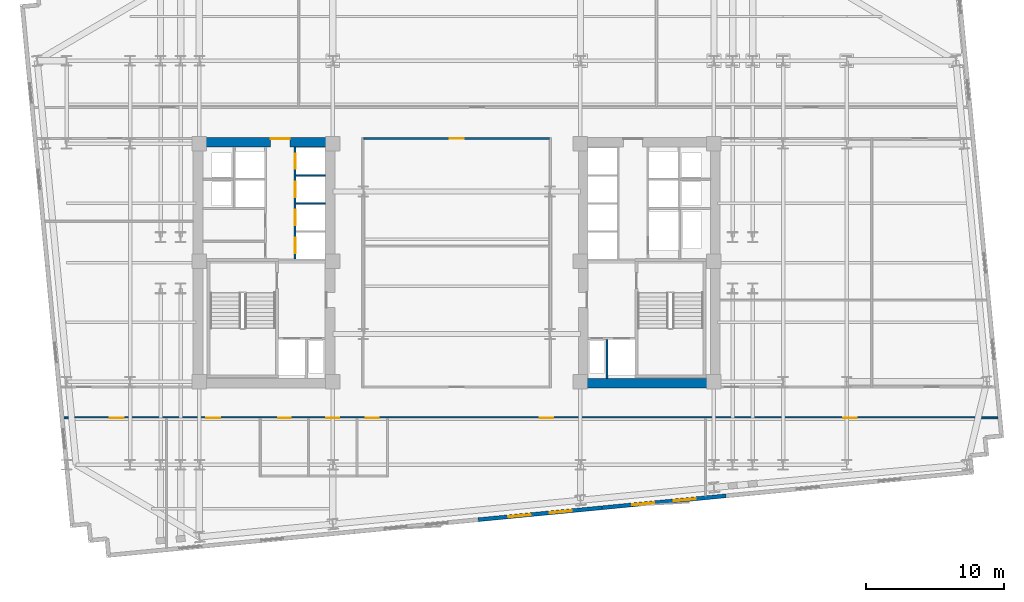
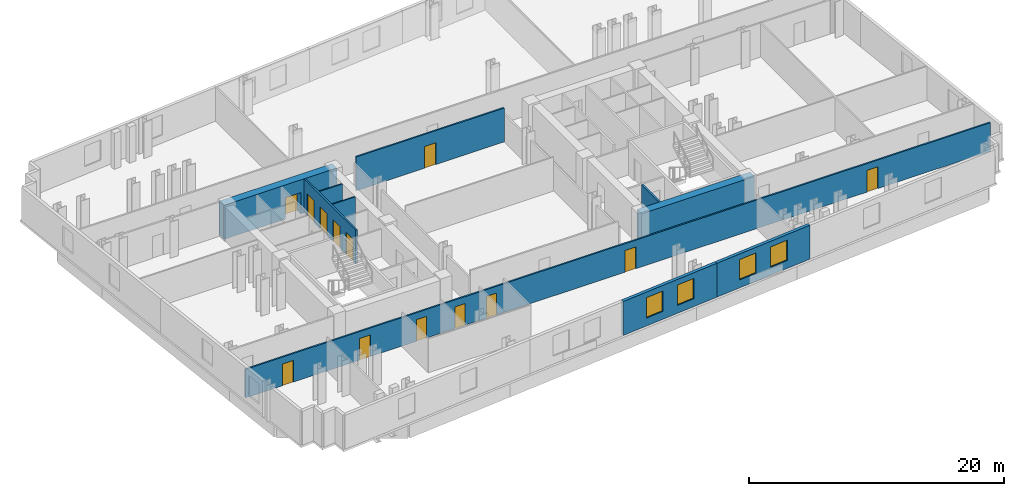
# One storey, part 5 of 10: 13 doors, 10 walls, 4 windows, 17 openings.
"""IFC4 building model written with IfcOpenShell, lengths in metres."""

from ifc_helpers import new_model, si_unit, direction, frame, frame_2d, origin, place, context, subcontext, project, spatial, rectangle, extrude, material, layer, layer_set, type_object, element, fill, save


model = new_model("IFC4")

# Units and contexts
model_context = context("Model", 3, precision=1e-05, world=origin(), true_north=direction((0.0, 1.0)))
body_context = subcontext(model_context, "Body", "Model", "MODEL_VIEW")
ifc_project = project(units=[si_unit("LENGTHUNIT", "METRE"), si_unit("AREAUNIT", "SQUARE_METRE"), si_unit("VOLUMEUNIT", "CUBIC_METRE"), si_unit("PLANEANGLEUNIT", "RADIAN"), si_unit("MASSUNIT", "GRAM", prefix="KILO")], contexts=[model_context])

# Site, building, storey
site_placement = place(None, origin())
site = spatial("IfcSite", under=ifc_project, at=site_placement, CompositionType="ELEMENT")
building_placement = place(site_placement, origin())
building = spatial("IfcBuilding", under=site, at=building_placement, Name="Velakula Bourse", CompositionType="ELEMENT")
storey_placement = place(building_placement, frame((0.0, 0.0, 74.199951171875)))
storey = spatial("IfcBuildingStorey", under=building, at=storey_placement, Name="L19", CompositionType="ELEMENT", Elevation=74.199951171875)

# Wall, opening, door
ifc_material_1 = material(Name="Concrete M70 (fck 70 MPa)", Category="concrete")
ifc_layer_1 = layer(ifc_material_1, 0.699951171875, Name="Concrete M70 (fck 70 MPa)", Category="concrete")
ifc_layer_set_1 = layer_set([ifc_layer_1], Name="Concrete M70 (fck 70 MPa)")
wall_type_1 = type_object("IfcWallType", Name="WL-CORE-700", PredefinedType="SHEAR", material=ifc_layer_set_1)
wall_1_placement = place(storey_placement, frame((-19.050048828125, 8.699951171875, 0.0), z_axis=(0.0, 0.0, 1.0), x_axis=(1.0, 0.0, 0.0)))
wall_1 = element("IfcWall", 1, at=wall_1_placement, inside=storey, type_object=wall_type_1, Name="L19 Core W Shear Wall N", PredefinedType="SHEAR", context=body_context, shape_type="SweptSolid", body=[
    extrude(rectangle(XDim=10.25, YDim=0.699951171875, at=frame_2d((5.125, 0.0))), origin(), (0.0, 0.0, 1.0), 3.27001953125),
])
opening_1_placement = place(wall_1_placement, frame((5.60009765625, 0.0, 0.0)))
opening_1 = element("IfcOpeningElement", 2, at=opening_1_placement, cuts=wall_1, Name="Opening D-LLW", PredefinedType="OPENING", context=body_context, shape_type="SweptSolid", body=[
    extrude(rectangle(XDim=1.39990234375, YDim=2.050048828125, at=frame_2d((0.699951171875, 1.02490234375))), frame((0.0, 0.35986328125, 0.0), z_axis=(0.0, -1.0, 0.0), x_axis=(1.0, 0.0, 0.0)), (0.0, 0.0, 1.0), 0.719970703125),
])
ifc_material_2 = material(Name="Fire-rated hardwood flush architectural door", Category="wood")
door_type_1 = type_object("IfcDoorType", Name="DR-DBL-FD60-1400", OperationType="DOUBLE_DOOR_SINGLE_SWING", PredefinedType="DOOR", material=ifc_material_2)
door_1_placement = place(opening_1_placement, origin())
door_1 = element("IfcDoor", 3, at=door_1_placement, inside=storey, type_object=door_type_1, Name="L19 Core W Lift Lobby Corridor Double Door", OperationType="DOUBLE_DOOR_SINGLE_SWING", OverallHeight=2.050048828125, OverallWidth=1.39990234375, PredefinedType="DOOR", context=body_context, shape_type="SweptSolid", body=[
    extrude(rectangle(XDim=1.39990234375, YDim=2.050048828125, at=frame_2d((0.699951171875, 1.02490234375))), frame((0.0, 0.294921875, 0.0), z_axis=(0.0, -1.0, 0.0), x_axis=(1.0, 0.0, 0.0)), (0.0, 0.0, 1.0), 0.050048828125),
])
fill(opening_1, door_1)

# Wall
wall_2_placement = place(storey_placement, frame((8.800048828125, -8.699951171875, 0.0), z_axis=(0.0, 0.0, 1.0), x_axis=(1.0, 0.0, 0.0)))
element("IfcWall", 4, at=wall_2_placement, inside=storey, type_object=wall_type_1, Name="L19 Core E Shear Wall S", PredefinedType="SHEAR", context=body_context, shape_type="SweptSolid", body=[
    extrude(rectangle(XDim=10.25, YDim=0.699951171875, at=frame_2d((5.125, 0.0))), origin(), (0.0, 0.0, 1.0), 3.27001953125),
])

# Wall, openings, windows
ifc_material_3 = material(Name="Red kilned clay facing brick masonry", Category="masonry")
ifc_layer_2 = layer(ifc_material_3, 0.280029296875, Name="Red kilned clay facing brick masonry", Category="masonry")
ifc_layer_set_2 = layer_set([ifc_layer_2], Name="Red kilned clay facing brick masonry")
wall_type_2 = type_object("IfcWallType", Name="WL-EXT-BRK-280", PredefinedType="STANDARD", material=ifc_layer_set_2)
wall_3_placement = place(storey_placement, frame((10.51513671875, -17.7109375, 0.0), z_axis=(0.0, 0.0, 1.0), x_axis=(-0.995397043619, -0.095836973841, 0.0)))
wall_3 = element("IfcWall", 5, at=wall_3_placement, inside=storey, type_object=wall_type_2, Name="L19 S Brick Spandrel Wall B3", PredefinedType="STANDARD", context=body_context, shape_type="SweptSolid", body=[
    extrude(rectangle(XDim=9.000244140625, YDim=0.280029296875, at=frame_2d((4.5, 0.0))), origin(), (0.0, 0.0, 1.0), 3.25),
])
opening_2_placement = place(wall_3_placement, frame((2.199951171875, 0.0, 0.760009765625)))
opening_2 = element("IfcOpeningElement", 6, at=opening_2_placement, cuts=wall_3, Name="Opening W-02", PredefinedType="OPENING", context=body_context, shape_type="SweptSolid", body=[
    extrude(rectangle(XDim=1.60009765625, YDim=1.949951171875, at=frame_2d((0.800048828125, 0.97509765625))), frame((0.0, 0.14990234375, 0.0), z_axis=(0.0, -1.0, 0.0), x_axis=(1.0, 0.0, 0.0)), (0.0, 0.0, 1.0), 0.300048828125),
])
opening_3_placement = place(wall_3_placement, frame((5.199951171875, 0.0, 0.760009765625)))
opening_3 = element("IfcOpeningElement", 7, at=opening_3_placement, cuts=wall_3, Name="Opening W-02", PredefinedType="OPENING", context=body_context, shape_type="SweptSolid", body=[
    extrude(rectangle(XDim=1.60009765625, YDim=1.949951171875, at=frame_2d((0.800048828125, 0.97509765625))), frame((0.0, 0.14990234375, 0.0), z_axis=(0.0, -1.0, 0.0), x_axis=(1.0, 0.0, 0.0)), (0.0, 0.0, 1.0), 0.300048828125),
])
ifc_material_4 = material(Name="Double-glazed solar-control Low-E glass", Category="glass")
window_type = type_object("IfcWindowType", Name="WIN-TWR-1600x2100", PartitioningType="SINGLE_PANEL", PredefinedType="WINDOW", material=ifc_material_4)
window_1_placement = place(opening_2_placement, origin())
window_1 = element("IfcWindow", 8, at=window_1_placement, inside=storey, type_object=window_type, Name="L19 Deep-Set Recessed Window 1", OverallHeight=1.949951171875, OverallWidth=1.60009765625, PartitioningType="SINGLE_PANEL", PredefinedType="WINDOW", context=body_context, shape_type="SweptSolid", body=[
    extrude(rectangle(XDim=1.60009765625, YDim=1.949951171875, at=frame_2d((0.800048828125, 0.97509765625))), frame((0.0, 0.030029296875, 0.0), z_axis=(0.0, -1.0, 0.0), x_axis=(1.0, 0.0, 0.0)), (0.0, 0.0, 1.0), 0.06005859375),
])
fill(opening_2, window_1)
window_2_placement = place(opening_3_placement, origin())
window_2 = element("IfcWindow", 9, at=window_2_placement, inside=storey, type_object=window_type, Name="L19 Deep-Set Recessed Window 2", OverallHeight=1.949951171875, OverallWidth=1.60009765625, PartitioningType="SINGLE_PANEL", PredefinedType="WINDOW", context=body_context, shape_type="SweptSolid", body=[
    extrude(rectangle(XDim=1.60009765625, YDim=1.949951171875, at=frame_2d((0.800048828125, 0.97509765625))), frame((0.0, 0.030029296875, 0.0), z_axis=(0.0, -1.0, 0.0), x_axis=(1.0, 0.0, 0.0)), (0.0, 0.0, 1.0), 0.06005859375),
])
fill(opening_3, window_2)

wall_4_placement = place(storey_placement, frame((19.4736328125, -16.848388671875, 0.0), z_axis=(0.0, 0.0, 1.0), x_axis=(-0.995396794462, -0.09583956164, 0.0)))
wall_4 = element("IfcWall", 10, at=wall_4_placement, inside=storey, type_object=wall_type_2, Name="L19 S Brick Spandrel Wall B4", PredefinedType="STANDARD", context=body_context, shape_type="SweptSolid", body=[
    extrude(rectangle(XDim=9.0, YDim=0.280029296875, at=frame_2d((4.5, 0.0))), origin(), (0.0, 0.0, 1.0), 3.25),
])
opening_4_placement = place(wall_4_placement, frame((2.199951171875, 0.0, 0.760009765625)))
opening_4 = element("IfcOpeningElement", 11, at=opening_4_placement, cuts=wall_4, Name="Opening W-02", PredefinedType="OPENING", context=body_context, shape_type="SweptSolid", body=[
    extrude(rectangle(XDim=1.60009765625, YDim=1.949951171875, at=frame_2d((0.800048828125, 0.97509765625))), frame((0.0, 0.14990234375, 0.0), z_axis=(0.0, -1.0, 0.0), x_axis=(1.0, 0.0, 0.0)), (0.0, 0.0, 1.0), 0.300048828125),
])
opening_5_placement = place(wall_4_placement, frame((5.199951171875, 0.0, 0.760009765625)))
opening_5 = element("IfcOpeningElement", 12, at=opening_5_placement, cuts=wall_4, Name="Opening W-02", PredefinedType="OPENING", context=body_context, shape_type="SweptSolid", body=[
    extrude(rectangle(XDim=1.60009765625, YDim=1.949951171875, at=frame_2d((0.800048828125, 0.97509765625))), frame((0.0, 0.14990234375, 0.0), z_axis=(0.0, -1.0, 0.0), x_axis=(1.0, 0.0, 0.0)), (0.0, 0.0, 1.0), 0.300048828125),
])
window_3_placement = place(opening_4_placement, origin())
window_3 = element("IfcWindow", 13, at=window_3_placement, inside=storey, type_object=window_type, Name="L19 Deep-Set Recessed Window 1", OverallHeight=1.949951171875, OverallWidth=1.60009765625, PartitioningType="SINGLE_PANEL", PredefinedType="WINDOW", context=body_context, shape_type="SweptSolid", body=[
    extrude(rectangle(XDim=1.60009765625, YDim=1.949951171875, at=frame_2d((0.800048828125, 0.97509765625))), frame((0.0, 0.030029296875, 0.0), z_axis=(0.0, -1.0, 0.0), x_axis=(1.0, 0.0, 0.0)), (0.0, 0.0, 1.0), 0.06005859375),
])
fill(opening_4, window_3)
window_4_placement = place(opening_5_placement, origin())
window_4 = element("IfcWindow", 14, at=window_4_placement, inside=storey, type_object=window_type, Name="L19 Deep-Set Recessed Window 2", OverallHeight=1.949951171875, OverallWidth=1.60009765625, PartitioningType="SINGLE_PANEL", PredefinedType="WINDOW", context=body_context, shape_type="SweptSolid", body=[
    extrude(rectangle(XDim=1.60009765625, YDim=1.949951171875, at=frame_2d((0.800048828125, 0.97509765625))), frame((0.0, 0.030029296875, 0.0), z_axis=(0.0, -1.0, 0.0), x_axis=(1.0, 0.0, 0.0)), (0.0, 0.0, 1.0), 0.06005859375),
])
fill(opening_5, window_4)

# Walls
ifc_material_5 = material(Name="Fire-rated double-layer gypsum drywall partition", Category="gypsum")
ifc_layer_3 = layer(ifc_material_5, 0.1201171875, Name="Fire-rated double-layer gypsum drywall partition", Category="gypsum")
ifc_layer_set_3 = layer_set([ifc_layer_3], Name="Fire-rated double-layer gypsum drywall partition")
wall_type_3 = type_object("IfcWallType", Name="WL-PART-120", PredefinedType="STANDARD", material=ifc_layer_set_3)
for number, where, z_axis, x_axis, name in (
    (15, (-11.60009765625, 4.284912109375, 0.0), (0.0, 0.0, 1.0), (1.0, 0.0, 0.0), "L19 Interior Partition WL-CRW-L19-BDIV-1"),
    (16, (-11.60009765625, 6.31494140625, 0.0), (0.0, 0.0, 1.0), (1.0, 0.0, 0.0), "L19 Interior Partition WL-CRW-L19-BDIV-2"),
):
    element("IfcWall", number, at=place(storey_placement, frame(where, z_axis=z_axis, x_axis=x_axis)), inside=storey, type_object=wall_type_3, Name=name, PredefinedType="STANDARD", context=body_context, shape_type="SweptSolid", body=[
        extrude(rectangle(XDim=2.10009765625, YDim=0.110107421875, at=frame_2d((1.050048828125, 0.0))), origin(), (0.0, 0.0, 1.0), 3.25),
    ])

# Wall, openings, doors
ifc_layer_4 = layer(ifc_material_5, 0.139892578125, Name="Fire-rated double-layer gypsum drywall partition", Category="gypsum")
ifc_layer_set_4 = layer_set([ifc_layer_4], Name="Fire-rated double-layer gypsum drywall partition")
wall_type_4 = type_object("IfcWallType", Name="WL-PART-140", PredefinedType="STANDARD", material=ifc_layer_set_4)
wall_5_placement = place(storey_placement, frame((-28.40625, -11.219970703125, 0.0), z_axis=(0.0, 0.0, 1.0), x_axis=(1.0, 0.0, 0.0)))
wall_5 = element("IfcWall", 17, at=wall_5_placement, inside=storey, type_object=wall_type_4, Name="L19 Interior Partition WL-INT-L19-S-CORR", PredefinedType="STANDARD", context=body_context, shape_type="SweptSolid", body=[
    extrude(rectangle(XDim=67.551025390625, YDim=0.139892578125, at=frame_2d((33.775390625, 0.0))), origin(), (0.0, 0.0, 1.0), 2.7451171875),
])
opening_6_placement = place(wall_5_placement, frame((15.496337890625, 0.0, 0.0)))
opening_6 = element("IfcOpeningElement", 18, at=opening_6_placement, cuts=wall_5, Name="Opening D-WT1", PredefinedType="OPENING", context=body_context, shape_type="SweptSolid", body=[
    extrude(rectangle(XDim=0.919921875, YDim=2.080078125, at=frame_2d((0.4599609375, 1.0400390625))), frame((0.0, 0.079833984375, 0.0), z_axis=(0.0, -1.0, 0.0), x_axis=(1.0, 0.0, 0.0)), (0.0, 0.0, 1.0), 0.159912109375),
])
opening_7_placement = place(wall_5_placement, frame((18.996337890625, 0.0, 0.0)))
opening_7 = element("IfcOpeningElement", 19, at=opening_7_placement, cuts=wall_5, Name="Opening D-WT1", PredefinedType="OPENING", context=body_context, shape_type="SweptSolid", body=[
    extrude(rectangle(XDim=0.919921875, YDim=2.080078125, at=frame_2d((0.4599609375, 1.0400390625))), frame((0.0, 0.079833984375, 0.0), z_axis=(0.0, -1.0, 0.0), x_axis=(1.0, 0.0, 0.0)), (0.0, 0.0, 1.0), 0.159912109375),
])
opening_8_placement = place(wall_5_placement, frame((21.84619140625, 0.0, 0.0)))
opening_8 = element("IfcOpeningElement", 20, at=opening_8_placement, cuts=wall_5, Name="Opening D-WC1", PredefinedType="OPENING", context=body_context, shape_type="SweptSolid", body=[
    extrude(rectangle(XDim=0.919921875, YDim=2.080078125, at=frame_2d((0.4599609375, 1.0400390625))), frame((0.0, 0.079833984375, 0.0), z_axis=(0.0, -1.0, 0.0), x_axis=(1.0, 0.0, 0.0)), (0.0, 0.0, 1.0), 0.159912109375),
])
opening_9_placement = place(wall_5_placement, frame((3.335693359375, 0.0, 0.0)))
opening_9 = element("IfcOpeningElement", 21, at=opening_9_placement, cuts=wall_5, Name="Opening D-OF1", PredefinedType="OPENING", context=body_context, shape_type="SweptSolid", body=[
    extrude(rectangle(XDim=1.0, YDim=2.080078125, at=frame_2d((0.5, 1.0400390625))), frame((0.0, 0.079833984375, 0.0), z_axis=(0.0, -1.0, 0.0), x_axis=(1.0, 0.0, 0.0)), (0.0, 0.0, 1.0), 0.159912109375),
])
opening_10_placement = place(wall_5_placement, frame((10.312744140625, 0.0, 0.0)))
opening_10 = element("IfcOpeningElement", 22, at=opening_10_placement, cuts=wall_5, Name="Opening D-OF1", PredefinedType="OPENING", context=body_context, shape_type="SweptSolid", body=[
    extrude(rectangle(XDim=1.0, YDim=2.080078125, at=frame_2d((0.5, 1.0400390625))), frame((0.0, 0.079833984375, 0.0), z_axis=(0.0, -1.0, 0.0), x_axis=(1.0, 0.0, 0.0)), (0.0, 0.0, 1.0), 0.159912109375),
])
opening_11_placement = place(wall_5_placement, frame((34.396728515625, 0.0, 0.0)))
opening_11 = element("IfcOpeningElement", 23, at=opening_11_placement, cuts=wall_5, Name="Opening D-OF1", PredefinedType="OPENING", context=body_context, shape_type="SweptSolid", body=[
    extrude(rectangle(XDim=1.0, YDim=2.080078125, at=frame_2d((0.5, 1.0400390625))), frame((0.0, 0.079833984375, 0.0), z_axis=(0.0, -1.0, 0.0), x_axis=(1.0, 0.0, 0.0)), (0.0, 0.0, 1.0), 0.159912109375),
])
opening_12_placement = place(wall_5_placement, frame((56.343017578125, 0.0, 0.0)))
opening_12 = element("IfcOpeningElement", 24, at=opening_12_placement, cuts=wall_5, Name="Opening D-OF1", PredefinedType="OPENING", context=body_context, shape_type="SweptSolid", body=[
    extrude(rectangle(XDim=1.0, YDim=2.080078125, at=frame_2d((0.5, 1.0400390625))), frame((0.0, 0.079833984375, 0.0), z_axis=(0.0, -1.0, 0.0), x_axis=(1.0, 0.0, 0.0)), (0.0, 0.0, 1.0), 0.159912109375),
])
door_type_2 = type_object("IfcDoorType", Name="DR-OFF-1000", OperationType="NOTDEFINED", PredefinedType="DOOR", material=ifc_material_2)
door_2_placement = place(opening_9_placement, origin())
door_2 = element("IfcDoor", 25, at=door_2_placement, inside=storey, type_object=door_type_2, Name="L19 Quiet Financial Library Door", OperationType="SINGLE_SWING_LEFT", OverallHeight=2.080078125, OverallWidth=1.0, PredefinedType="DOOR", context=body_context, shape_type="SweptSolid", body=[
    extrude(rectangle(XDim=1.0, YDim=2.080078125, at=frame_2d((0.5, 1.0400390625))), frame((0.0, 0.02490234375, 0.0), z_axis=(0.0, -1.0, 0.0), x_axis=(1.0, 0.0, 0.0)), (0.0, 0.0, 1.0), 0.050048828125),
])
fill(opening_9, door_2)
door_3_placement = place(opening_10_placement, origin())
door_3 = element("IfcDoor", 26, at=door_3_placement, inside=storey, type_object=door_type_2, Name="L19 Chief Risk Officer Chamber Door", OperationType="SINGLE_SWING_RIGHT", OverallHeight=2.080078125, OverallWidth=1.0, PredefinedType="DOOR", context=body_context, shape_type="SweptSolid", body=[
    extrude(rectangle(XDim=1.0, YDim=2.080078125, at=frame_2d((0.5, 1.0400390625))), frame((0.0, 0.02490234375, 0.0), z_axis=(0.0, -1.0, 0.0), x_axis=(1.0, 0.0, 0.0)), (0.0, 0.0, 1.0), 0.050048828125),
])
fill(opening_10, door_3)
door_4_placement = place(opening_11_placement, origin())
door_4 = element("IfcDoor", 27, at=door_4_placement, inside=storey, type_object=door_type_2, Name="L19 Executive Boardroom Door", OperationType="SINGLE_SWING_LEFT", OverallHeight=2.080078125, OverallWidth=1.0, PredefinedType="DOOR", context=body_context, shape_type="SweptSolid", body=[
    extrude(rectangle(XDim=1.0, YDim=2.080078125, at=frame_2d((0.5, 1.0400390625))), frame((0.0, 0.02490234375, 0.0), z_axis=(0.0, -1.0, 0.0), x_axis=(1.0, 0.0, 0.0)), (0.0, 0.0, 1.0), 0.050048828125),
])
fill(opening_11, door_4)
door_5_placement = place(opening_12_placement, origin())
door_5 = element("IfcDoor", 28, at=door_5_placement, inside=storey, type_object=door_type_2, Name="L19 Catering Servery Pantry Door", OperationType="SINGLE_SWING_RIGHT", OverallHeight=2.080078125, OverallWidth=1.0, PredefinedType="DOOR", context=body_context, shape_type="SweptSolid", body=[
    extrude(rectangle(XDim=1.0, YDim=2.080078125, at=frame_2d((0.5, 1.0400390625))), frame((0.0, 0.02490234375, 0.0), z_axis=(0.0, -1.0, 0.0), x_axis=(1.0, 0.0, 0.0)), (0.0, 0.0, 1.0), 0.050048828125),
])
fill(opening_12, door_5)
door_type_3 = type_object("IfcDoorType", Name="DR-WC-950", OperationType="NOTDEFINED", PredefinedType="DOOR", material=ifc_material_2)
door_6_placement = place(opening_6_placement, origin())
door_6 = element("IfcDoor", 29, at=door_6_placement, inside=storey, type_object=door_type_3, Name="L19 Male Staff Toilet Door", OperationType="SINGLE_SWING_RIGHT", OverallHeight=2.080078125, OverallWidth=0.919921875, PredefinedType="DOOR", context=body_context, shape_type="SweptSolid", body=[
    extrude(rectangle(XDim=0.919921875, YDim=2.080078125, at=frame_2d((0.4599609375, 1.0400390625))), frame((0.0, 0.02490234375, 0.0), z_axis=(0.0, -1.0, 0.0), x_axis=(1.0, 0.0, 0.0)), (0.0, 0.0, 1.0), 0.050048828125),
])
fill(opening_6, door_6)
door_7_placement = place(opening_7_placement, origin())
door_7 = element("IfcDoor", 30, at=door_7_placement, inside=storey, type_object=door_type_3, Name="L19 Female Staff Toilet Door", OperationType="SINGLE_SWING_LEFT", OverallHeight=2.080078125, OverallWidth=0.919921875, PredefinedType="DOOR", context=body_context, shape_type="SweptSolid", body=[
    extrude(rectangle(XDim=0.919921875, YDim=2.080078125, at=frame_2d((0.4599609375, 1.0400390625))), frame((0.0, 0.02490234375, 0.0), z_axis=(0.0, -1.0, 0.0), x_axis=(1.0, 0.0, 0.0)), (0.0, 0.0, 1.0), 0.050048828125),
])
fill(opening_7, door_7)
door_8_placement = place(opening_8_placement, origin())
door_8 = element("IfcDoor", 31, at=door_8_placement, inside=storey, type_object=door_type_3, Name="L19 Accessible WC Door", OperationType="SINGLE_SWING_RIGHT", OverallHeight=2.080078125, OverallWidth=0.919921875, PredefinedType="DOOR", context=body_context, shape_type="SweptSolid", body=[
    extrude(rectangle(XDim=0.919921875, YDim=2.080078125, at=frame_2d((0.4599609375, 1.0400390625))), frame((0.0, 0.02490234375, 0.0), z_axis=(0.0, -1.0, 0.0), x_axis=(1.0, 0.0, 0.0)), (0.0, 0.0, 1.0), 0.050048828125),
])
fill(opening_8, door_8)

# Wall, opening, door
wall_6_placement = place(storey_placement, frame((-6.7099609375, 8.97998046875, 0.0), z_axis=(0.0, 0.0, 1.0), x_axis=(1.0, 0.0, 0.0)))
wall_6 = element("IfcWall", 32, at=wall_6_placement, inside=storey, type_object=wall_type_4, Name="L19 Interior Partition WL-INT-L19-MID-N", PredefinedType="STANDARD", context=body_context, shape_type="SweptSolid", body=[
    extrude(rectangle(XDim=13.419921875, YDim=0.139892578125, at=frame_2d((6.7099609375, 0.0))), origin(), (0.0, 0.0, 1.0), 3.25),
])
opening_13_placement = place(wall_6_placement, frame((6.2099609375, 0.0, 0.0)))
opening_13 = element("IfcOpeningElement", 33, at=opening_13_placement, cuts=wall_6, Name="Opening D-OF1", PredefinedType="OPENING", context=body_context, shape_type="SweptSolid", body=[
    extrude(rectangle(XDim=1.0, YDim=2.080078125, at=frame_2d((0.5, 1.0400390625))), frame((0.0, 0.079833984375, 0.0), z_axis=(0.0, -1.0, 0.0), x_axis=(1.0, 0.0, 0.0)), (0.0, 0.0, 1.0), 0.159912109375),
])
door_9_placement = place(opening_13_placement, origin())
door_9 = element("IfcDoor", 34, at=door_9_placement, inside=storey, type_object=door_type_2, Name="L19 Central Boardroom North Door", OperationType="SINGLE_SWING_RIGHT", OverallHeight=2.080078125, OverallWidth=1.0, PredefinedType="DOOR", context=body_context, shape_type="SweptSolid", body=[
    extrude(rectangle(XDim=1.0, YDim=2.080078125, at=frame_2d((0.5, 1.0400390625))), frame((0.0, 0.02490234375, 0.0), z_axis=(0.0, -1.0, 0.0), x_axis=(1.0, 0.0, 0.0)), (0.0, 0.0, 1.0), 0.050048828125),
])
fill(opening_13, door_9)

# Wall, openings, doors
ifc_material_6 = material(Name="Autoclaved aerated concrete blockwork masonry", Category="masonry")
ifc_layer_5 = layer(ifc_material_6, 0.14990234375, Name="Autoclaved aerated concrete blockwork masonry", Category="masonry")
ifc_layer_set_5 = layer_set([ifc_layer_5], Name="Autoclaved aerated concrete blockwork masonry")
wall_type_5 = type_object("IfcWallType", Name="WL-SHAFT-150", PredefinedType="STANDARD", material=ifc_layer_set_5)
wall_7_placement = place(storey_placement, frame((-11.675048828125, 0.27001953125, 0.0), z_axis=(0.0, 0.0, 1.0), x_axis=(0.0, 1.0, 0.0)))
wall_7 = element("IfcWall", 35, at=wall_7_placement, inside=storey, type_object=wall_type_5, Name="L19 Interior Partition WL-CRW-L19-BANK-F", PredefinedType="STANDARD", context=body_context, shape_type="SweptSolid", body=[
    extrude(rectangle(XDim=8.080078125, YDim=0.14990234375, at=frame_2d((4.0400390625, 0.0))), origin(), (0.0, 0.0, 1.0), 3.25),
])
opening_14_placement = place(wall_7_placement, frame((0.419921875, 0.0, 0.0)))
opening_14 = element("IfcOpeningElement", 36, at=opening_14_placement, cuts=wall_7, Name="Opening LD-P1", PredefinedType="OPENING", context=body_context, shape_type="SweptSolid", body=[
    extrude(rectangle(XDim=1.10009765625, YDim=2.10009765625, at=frame_2d((0.550048828125, 1.050048828125))), frame((0.0, 0.0849609375, 0.0), z_axis=(0.0, -1.0, 0.0), x_axis=(1.0, 0.0, 0.0)), (0.0, 0.0, 1.0), 0.169921875),
])
opening_15_placement = place(wall_7_placement, frame((2.449951171875, 0.0, 0.0)))
opening_15 = element("IfcOpeningElement", 37, at=opening_15_placement, cuts=wall_7, Name="Opening LD-P2", PredefinedType="OPENING", context=body_context, shape_type="SweptSolid", body=[
    extrude(rectangle(XDim=1.10009765625, YDim=2.10009765625, at=frame_2d((0.550048828125, 1.050048828125))), frame((0.0, 0.0849609375, 0.0), z_axis=(0.0, -1.0, 0.0), x_axis=(1.0, 0.0, 0.0)), (0.0, 0.0, 1.0), 0.169921875),
])
opening_16_placement = place(wall_7_placement, frame((4.47998046875, 0.0, 0.0)))
opening_16 = element("IfcOpeningElement", 38, at=opening_16_placement, cuts=wall_7, Name="Opening LD-P3", PredefinedType="OPENING", context=body_context, shape_type="SweptSolid", body=[
    extrude(rectangle(XDim=1.10009765625, YDim=2.10009765625, at=frame_2d((0.550048828125, 1.050048828125))), frame((0.0, 0.0849609375, 0.0), z_axis=(0.0, -1.0, 0.0), x_axis=(1.0, 0.0, 0.0)), (0.0, 0.0, 1.0), 0.169921875),
])
opening_17_placement = place(wall_7_placement, frame((6.510009765625, 0.0, 0.0)))
opening_17 = element("IfcOpeningElement", 39, at=opening_17_placement, cuts=wall_7, Name="Opening LD-P4", PredefinedType="OPENING", context=body_context, shape_type="SweptSolid", body=[
    extrude(rectangle(XDim=1.10009765625, YDim=2.10009765625, at=frame_2d((0.550048828125, 1.050048828125))), frame((0.0, 0.0849609375, 0.0), z_axis=(0.0, -1.0, 0.0), x_axis=(1.0, 0.0, 0.0)), (0.0, 0.0, 1.0), 0.169921875),
])
ifc_material_7 = material(Name="Brushed grade 316 stainless steel", Category="steel")
door_type_4 = type_object("IfcDoorType", Name="DR-SLIDE-LD-1100", OperationType="DOUBLE_DOOR_SLIDING", PredefinedType="DOOR", material=ifc_material_7)
door_10_placement = place(opening_14_placement, origin())
door_10 = element("IfcDoor", 40, at=door_10_placement, inside=storey, type_object=door_type_4, Name="L19 Passenger Lift P1 Sliding Landing Door", OperationType="DOUBLE_DOOR_SLIDING", OverallHeight=2.10009765625, OverallWidth=1.10009765625, PredefinedType="DOOR", context=body_context, shape_type="SweptSolid", body=[
    extrude(rectangle(XDim=1.10009765625, YDim=2.10009765625, at=frame_2d((0.550048828125, 1.050048828125))), frame((0.0, 0.02490234375, 0.0), z_axis=(0.0, -1.0, 0.0), x_axis=(1.0, 0.0, 0.0)), (0.0, 0.0, 1.0), 0.050048828125),
])
fill(opening_14, door_10)
door_11_placement = place(opening_15_placement, origin())
door_11 = element("IfcDoor", 41, at=door_11_placement, inside=storey, type_object=door_type_4, Name="L19 Passenger Lift P2 Sliding Landing Door", OperationType="DOUBLE_DOOR_SLIDING", OverallHeight=2.10009765625, OverallWidth=1.10009765625, PredefinedType="DOOR", context=body_context, shape_type="SweptSolid", body=[
    extrude(rectangle(XDim=1.10009765625, YDim=2.10009765625, at=frame_2d((0.550048828125, 1.050048828125))), frame((0.0, 0.02490234375, 0.0), z_axis=(0.0, -1.0, 0.0), x_axis=(1.0, 0.0, 0.0)), (0.0, 0.0, 1.0), 0.050048828125),
])
fill(opening_15, door_11)
door_12_placement = place(opening_16_placement, origin())
door_12 = element("IfcDoor", 42, at=door_12_placement, inside=storey, type_object=door_type_4, Name="L19 Passenger Lift P3 Sliding Landing Door", OperationType="DOUBLE_DOOR_SLIDING", OverallHeight=2.10009765625, OverallWidth=1.10009765625, PredefinedType="DOOR", context=body_context, shape_type="SweptSolid", body=[
    extrude(rectangle(XDim=1.10009765625, YDim=2.10009765625, at=frame_2d((0.550048828125, 1.050048828125))), frame((0.0, 0.02490234375, 0.0), z_axis=(0.0, -1.0, 0.0), x_axis=(1.0, 0.0, 0.0)), (0.0, 0.0, 1.0), 0.050048828125),
])
fill(opening_16, door_12)
door_13_placement = place(opening_17_placement, origin())
door_13 = element("IfcDoor", 43, at=door_13_placement, inside=storey, type_object=door_type_4, Name="L19 Passenger Lift P4 Sliding Landing Door", OperationType="DOUBLE_DOOR_SLIDING", OverallHeight=2.10009765625, OverallWidth=1.10009765625, PredefinedType="DOOR", context=body_context, shape_type="SweptSolid", body=[
    extrude(rectangle(XDim=1.10009765625, YDim=2.10009765625, at=frame_2d((0.550048828125, 1.050048828125))), frame((0.0, 0.02490234375, 0.0), z_axis=(0.0, -1.0, 0.0), x_axis=(1.0, 0.0, 0.0)), (0.0, 0.0, 1.0), 0.050048828125),
])
fill(opening_17, door_13)

# Wall
wall_8_placement = place(storey_placement, frame((10.875, -8.35009765625, 0.0), z_axis=(0.0, 0.0, 1.0), x_axis=(0.0, 1.0, 0.0)))
element("IfcWall", 44, at=wall_8_placement, inside=storey, type_object=wall_type_5, Name="L19 Interior Partition WL-CRE-L19-FR-DIV", PredefinedType="STANDARD", context=body_context, shape_type="SweptSolid", body=[
    extrude(rectangle(XDim=2.800048828125, YDim=0.14990234375, at=frame_2d((1.39990234375, 0.0))), origin(), (0.0, 0.0, 1.0), 3.25),
])

save(model, "model.ifc")
